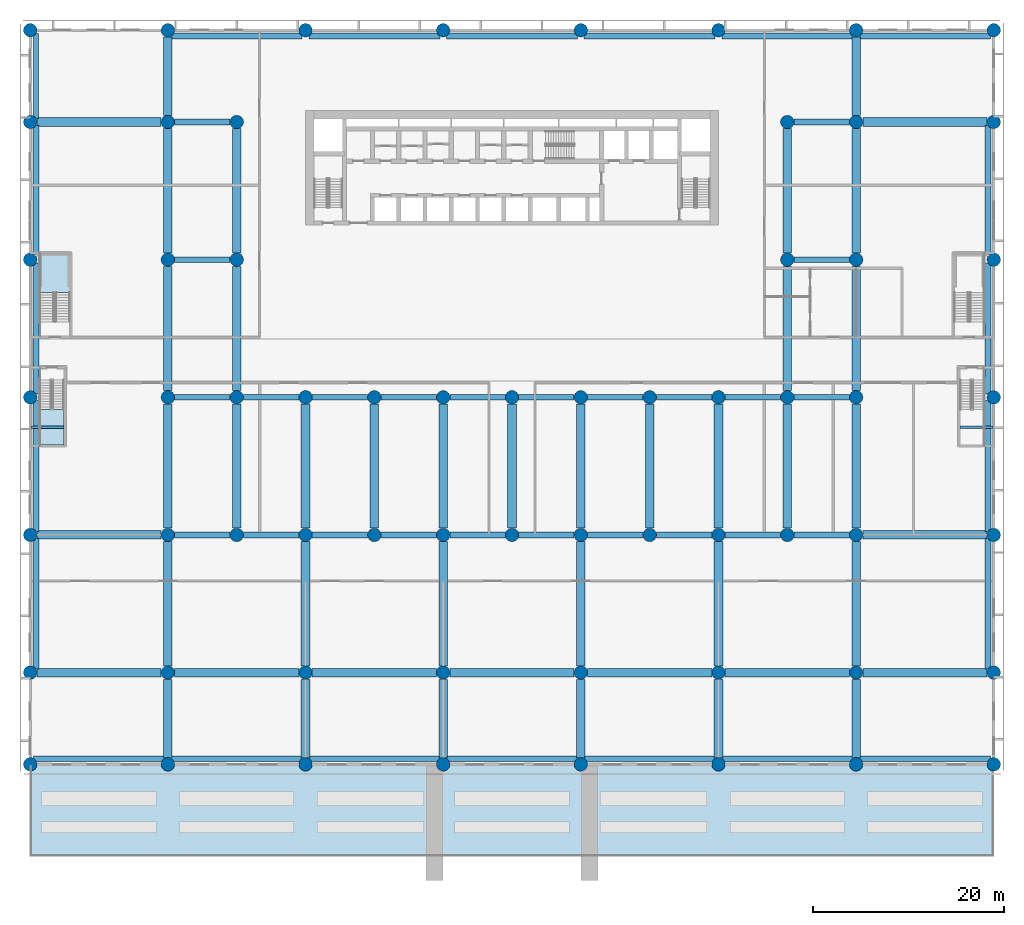
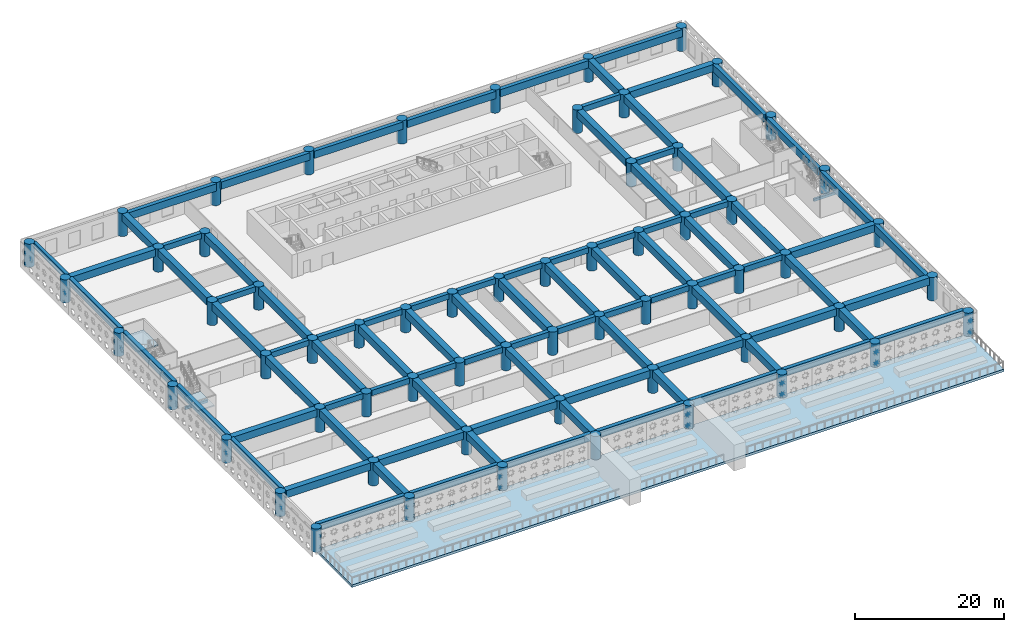
# One storey, part 1 of 24: 92 beams, 62 columns, 3 slabs, 2 elements without a shape of their own.
"""IFC4 building model written with IfcOpenShell, lengths in metres."""

from ifc_helpers import new_model, si_unit, direction, frame, origin, origin_2d, place, context, subcontext, project, spatial, polyline, rectangle, circle, outline, extrude, source, transform, mapped, material, layer, layer_set, material_profile, profile_set, type_object, element, aggregate, save


model = new_model("IFC4")

# Units and contexts
model_context = context("Model", 3, precision=1e-05, world=origin(), true_north=direction((0.0, 1.0)))
body_context = subcontext(model_context, "Body", "Model", "MODEL_VIEW")
ifc_project = project(units=[si_unit("LENGTHUNIT", "METRE"), si_unit("AREAUNIT", "SQUARE_METRE"), si_unit("VOLUMEUNIT", "CUBIC_METRE"), si_unit("PLANEANGLEUNIT", "RADIAN"), si_unit("MASSUNIT", "GRAM", prefix="KILO")], contexts=[model_context])

# Site, building, storey
site_placement = place(None, origin())
site = spatial("IfcSite", under=ifc_project, at=site_placement, CompositionType="ELEMENT")
building_placement = place(site_placement, origin())
building = spatial("IfcBuilding", under=site, at=building_placement, Name="Saffron Iwan Residences", CompositionType="ELEMENT")
storey_placement = place(building_placement, frame((0.0, 0.0, 13.199951171875)))
storey = spatial("IfcBuildingStorey", under=building, at=storey_placement, Name="L02", CompositionType="ELEMENT", Elevation=13.199951171875)

# Columns
ifc_material_1 = material(Name="Concrete C50/60", Category="concrete")
ifc_material_profile_1 = material_profile(ifc_material_1, circle(Radius=0.699951171875, at=origin_2d()), Name="RC D1400")
ifc_profile_set_1 = profile_set([ifc_material_profile_1], Name="Concrete C50/60")
column_type = type_object("IfcColumnType", Name="COL RC D1400 C50/60 3800 HIGH", PredefinedType="COLUMN", material=ifc_profile_set_1)
shared_shape_1 = source(origin(), body_context, "Body", "SweptSolid", [
    extrude(circle(Radius=0.699951171875, at=origin_2d()), origin(), (0.0, 0.0, 1.0), 3.800048828125),
])
for number, where, z_axis, x_axis, name in (
    (1, (0.0, 9.60009765625, 0.0), (0.0, 0.0, 1.0), (1.0, 0.0, 0.0), "Column C009"),
    (2, (14.39990234375, 9.60009765625, 0.0), (0.0, 0.0, 1.0), (1.0, 0.0, 0.0), "Column C010"),
    (3, (28.800048828125, 9.60009765625, 0.0), (0.0, 0.0, 1.0), (1.0, 0.0, 0.0), "Column C011"),
    (4, (43.199951171875, 9.60009765625, 0.0), (0.0, 0.0, 1.0), (1.0, 0.0, 0.0), "Column C012"),
    (5, (57.60009765625, 9.60009765625, 0.0), (0.0, 0.0, 1.0), (1.0, 0.0, 0.0), "Column C013"),
    (6, (72.0, 9.60009765625, 0.0), (0.0, 0.0, 1.0), (1.0, 0.0, 0.0), "Column C014"),
    (7, (86.39990234375, 9.60009765625, 0.0), (0.0, 0.0, 1.0), (1.0, 0.0, 0.0), "Column C015"),
    (8, (100.800048828125, 9.60009765625, 0.0), (0.0, 0.0, 1.0), (1.0, 0.0, 0.0), "Column C016"),
    (9, (0.0, 19.199951171875, 0.0), (0.0, 0.0, 1.0), (1.0, 0.0, 0.0), "Column C017"),
    (10, (14.39990234375, 19.199951171875, 0.0), (0.0, 0.0, 1.0), (1.0, 0.0, 0.0), "Column C018"),
    (11, (28.800048828125, 19.199951171875, 0.0), (0.0, 0.0, 1.0), (1.0, 0.0, 0.0), "Column C019"),
    (12, (43.199951171875, 19.199951171875, 0.0), (0.0, 0.0, 1.0), (1.0, 0.0, 0.0), "Column C020"),
    (13, (57.60009765625, 19.199951171875, 0.0), (0.0, 0.0, 1.0), (1.0, 0.0, 0.0), "Column C021"),
    (14, (72.0, 19.199951171875, 0.0), (0.0, 0.0, 1.0), (1.0, 0.0, 0.0), "Column C022"),
    (15, (86.39990234375, 19.199951171875, 0.0), (0.0, 0.0, 1.0), (1.0, 0.0, 0.0), "Column C023"),
    (16, (100.800048828125, 19.199951171875, 0.0), (0.0, 0.0, 1.0), (1.0, 0.0, 0.0), "Column C024"),
    (17, (0.0, 33.60009765625, 0.0), (0.0, 0.0, 1.0), (1.0, 0.0, 0.0), "Column C025"),
    (18, (14.39990234375, 33.60009765625, 0.0), (0.0, 0.0, 1.0), (1.0, 0.0, 0.0), "Column C026"),
    (19, (21.60009765625, 33.60009765625, 0.0), (0.0, 0.0, 1.0), (1.0, 0.0, 0.0), "Column C027"),
    (20, (28.800048828125, 33.60009765625, 0.0), (0.0, 0.0, 1.0), (1.0, 0.0, 0.0), "Column C028"),
    (21, (36.0, 33.60009765625, 0.0), (0.0, 0.0, 1.0), (1.0, 0.0, 0.0), "Column C029"),
    (22, (43.199951171875, 33.60009765625, 0.0), (0.0, 0.0, 1.0), (1.0, 0.0, 0.0), "Column C030"),
    (23, (50.39990234375, 33.60009765625, 0.0), (0.0, 0.0, 1.0), (1.0, 0.0, 0.0), "Column C031"),
    (24, (57.60009765625, 33.60009765625, 0.0), (0.0, 0.0, 1.0), (1.0, 0.0, 0.0), "Column C032"),
    (25, (64.800048828125, 33.60009765625, 0.0), (0.0, 0.0, 1.0), (1.0, 0.0, 0.0), "Column C033"),
    (26, (72.0, 33.60009765625, 0.0), (0.0, 0.0, 1.0), (1.0, 0.0, 0.0), "Column C034"),
    (27, (79.199951171875, 33.60009765625, 0.0), (0.0, 0.0, 1.0), (1.0, 0.0, 0.0), "Column C035"),
    (28, (86.39990234375, 33.60009765625, 0.0), (0.0, 0.0, 1.0), (1.0, 0.0, 0.0), "Column C036"),
    (29, (100.800048828125, 33.60009765625, 0.0), (0.0, 0.0, 1.0), (1.0, 0.0, 0.0), "Column C037"),
    (30, (0.0, 48.0, 0.0), (0.0, 0.0, 1.0), (1.0, 0.0, 0.0), "Column C059"),
    (31, (14.39990234375, 48.0, 0.0), (0.0, 0.0, 1.0), (1.0, 0.0, 0.0), "Column C060"),
    (32, (21.60009765625, 48.0, 0.0), (0.0, 0.0, 1.0), (1.0, 0.0, 0.0), "Column C063"),
    (33, (28.800048828125, 48.0, 0.0), (0.0, 0.0, 1.0), (1.0, 0.0, 0.0), "Column C064"),
    (34, (36.0, 48.0, 0.0), (0.0, 0.0, 1.0), (1.0, 0.0, 0.0), "Column C065"),
    (35, (43.199951171875, 48.0, 0.0), (0.0, 0.0, 1.0), (1.0, 0.0, 0.0), "Column C066"),
    (36, (50.39990234375, 48.0, 0.0), (0.0, 0.0, 1.0), (1.0, 0.0, 0.0), "Column C067"),
    (37, (57.60009765625, 48.0, 0.0), (0.0, 0.0, 1.0), (1.0, 0.0, 0.0), "Column C068"),
    (38, (64.800048828125, 48.0, 0.0), (0.0, 0.0, 1.0), (1.0, 0.0, 0.0), "Column C069"),
    (39, (72.0, 48.0, 0.0), (0.0, 0.0, 1.0), (1.0, 0.0, 0.0), "Column C071"),
    (40, (79.199951171875, 48.0, 0.0), (0.0, 0.0, 1.0), (1.0, 0.0, 0.0), "Column C072"),
    (41, (86.39990234375, 48.0, 0.0), (0.0, 0.0, 1.0), (1.0, 0.0, 0.0), "Column C075"),
    (42, (100.800048828125, 48.0, 0.0), (0.0, 0.0, 1.0), (1.0, 0.0, 0.0), "Column C076"),
    (43, (0.0, 62.39990234375, 0.0), (0.0, 0.0, 1.0), (1.0, 0.0, 0.0), "Column C087"),
    (44, (14.39990234375, 62.39990234375, 0.0), (0.0, 0.0, 1.0), (1.0, 0.0, 0.0), "Column C088"),
    (45, (21.60009765625, 62.39990234375, 0.0), (0.0, 0.0, 1.0), (1.0, 0.0, 0.0), "Column C091"),
    (46, (79.199951171875, 62.39990234375, 0.0), (0.0, 0.0, 1.0), (1.0, 0.0, 0.0), "Column C092"),
    (47, (86.39990234375, 62.39990234375, 0.0), (0.0, 0.0, 1.0), (1.0, 0.0, 0.0), "Column C095"),
    (48, (100.800048828125, 62.39990234375, 0.0), (0.0, 0.0, 1.0), (1.0, 0.0, 0.0), "Column C096"),
    (49, (0.0, 76.800048828125, 0.0), (0.0, 0.0, 1.0), (1.0, 0.0, 0.0), "Column C103"),
    (50, (14.39990234375, 76.800048828125, 0.0), (0.0, 0.0, 1.0), (1.0, 0.0, 0.0), "Column C104"),
    (51, (21.60009765625, 76.800048828125, 0.0), (0.0, 0.0, 1.0), (1.0, 0.0, 0.0), "Column C107"),
    (52, (79.199951171875, 76.800048828125, 0.0), (0.0, 0.0, 1.0), (1.0, 0.0, 0.0), "Column C108"),
    (53, (86.39990234375, 76.800048828125, 0.0), (0.0, 0.0, 1.0), (1.0, 0.0, 0.0), "Column C111"),
    (54, (100.800048828125, 76.800048828125, 0.0), (0.0, 0.0, 1.0), (1.0, 0.0, 0.0), "Column C112"),
    (55, (0.0, 86.39990234375, 0.0), (0.0, 0.0, 1.0), (1.0, 0.0, 0.0), "Column C124"),
    (56, (14.39990234375, 86.39990234375, 0.0), (0.0, 0.0, 1.0), (1.0, 0.0, 0.0), "Column C125"),
    (57, (28.800048828125, 86.39990234375, 0.0), (0.0, 0.0, 1.0), (1.0, 0.0, 0.0), "Column C126"),
    (58, (43.199951171875, 86.39990234375, 0.0), (0.0, 0.0, 1.0), (1.0, 0.0, 0.0), "Column C127"),
    (59, (57.60009765625, 86.39990234375, 0.0), (0.0, 0.0, 1.0), (1.0, 0.0, 0.0), "Column C128"),
    (60, (72.0, 86.39990234375, 0.0), (0.0, 0.0, 1.0), (1.0, 0.0, 0.0), "Column C129"),
    (61, (86.39990234375, 86.39990234375, 0.0), (0.0, 0.0, 1.0), (1.0, 0.0, 0.0), "Column C130"),
    (62, (100.800048828125, 86.39990234375, 0.0), (0.0, 0.0, 1.0), (1.0, 0.0, 0.0), "Column C131"),
):
    element("IfcColumn", number, at=place(storey_placement, frame(where, z_axis=z_axis, x_axis=x_axis)), inside=storey, type_object=column_type, Name=name, PredefinedType="COLUMN", context=body_context, shape_type="MappedRepresentation", body=[
        mapped(shared_shape_1, transform((0.0, 0.0, 0.0))),
    ])

# Beams
ifc_material_profile_2 = material_profile(ifc_material_1, rectangle(XDim=0.5, YDim=0.89990234375, at=origin_2d()), Name="RC 500x900")
ifc_profile_set_2 = profile_set([ifc_material_profile_2], Name="Concrete C50/60")
beam_type_1 = type_object("IfcBeamType", Name="SPANDREL BEAM RC 500x900 C50/60 TOP 3800", PredefinedType="SPANDREL", material=ifc_profile_set_2)
shared_shape_2 = source(origin(), body_context, "Body", "SweptSolid", [
    extrude(rectangle(XDim=0.5, YDim=0.89990234375, at=origin_2d()), origin(), (0.0, 0.0, 1.0), 8.889404296875),
])
beam_placement = place(storey_placement, frame((0.60009765625, 77.1552734375, 3.35009765625), z_axis=(0.0, 1.0, 0.0), x_axis=(-1.0, 0.0, 0.0)))
element("IfcBeam", 63, at=beam_placement, inside=storey, type_object=beam_type_1, Name="Spandrel beam", PredefinedType="SPANDREL", context=body_context, shape_type="MappedRepresentation", body=[
    mapped(shared_shape_2, transform((0.0, 0.0, 0.0))),
])
ifc_material_profile_3 = material_profile(ifc_material_1, rectangle(XDim=0.60009765625, YDim=1.199951171875, at=origin_2d()), Name="RC 600x1200")
ifc_profile_set_3 = profile_set([ifc_material_profile_3], Name="Concrete C50/60")
beam_type_2 = type_object("IfcBeamType", Name="LINTEL BEAM RC 600x1200 C50/60 TOP 3800", PredefinedType="LINTEL", material=ifc_profile_set_3)
shared_shape_3 = source(origin(), body_context, "Body", "SweptSolid", [
    extrude(rectangle(XDim=0.60009765625, YDim=1.199951171875, at=origin_2d()), origin(), (0.0, 0.0, 1.0), 13.689453125),
])
for number, where, z_axis, x_axis, name in (
    (64, (14.044677734375, 10.199951171875, 3.199951171875), (-1.0, 0.0, 0.0), (0.0, -1.0, 0.0), "Lintel beam over the iwan"),
    (65, (42.8447265625, 10.199951171875, 3.199951171875), (-1.0, 0.0, 0.0), (0.0, -1.0, 0.0), "Lintel beam over the iwan"),
    (66, (71.644775390625, 10.199951171875, 3.199951171875), (-1.0, 0.0, 0.0), (0.0, -1.0, 0.0), "Lintel beam over the iwan"),
    (67, (86.044677734375, 10.199951171875, 3.199951171875), (-1.0, 0.0, 0.0), (0.0, -1.0, 0.0), "Lintel beam over the iwan"),
    (68, (0.60009765625, 33.955322265625, 3.199951171875), (0.0, 1.0, 0.0), (-1.0, 0.0, 0.0), "Lintel beam over the iwan"),
    (69, (100.199951171875, 47.644775390625, 3.199951171875), (0.0, -1.0, 0.0), (1.0, 0.0, 0.0), "Lintel beam over the iwan"),
    (70, (0.60009765625, 48.355224609375, 3.199951171875), (0.0, 1.0, 0.0), (-1.0, 0.0, 0.0), "Lintel beam over the iwan"),
    (71, (100.199951171875, 62.044677734375, 3.199951171875), (0.0, -1.0, 0.0), (1.0, 0.0, 0.0), "Lintel beam over the iwan"),
    (72, (29.1552734375, 85.800048828125, 3.199951171875), (1.0, 0.0, 0.0), (0.0, 1.0, 0.0), "Lintel beam over the iwan"),
    (73, (57.955322265625, 85.800048828125, 3.199951171875), (1.0, 0.0, 0.0), (0.0, 1.0, 0.0), "Lintel beam over the iwan"),
    (74, (72.355224609375, 85.800048828125, 3.199951171875), (1.0, 0.0, 0.0), (0.0, 1.0, 0.0), "Lintel beam over the iwan"),
):
    element("IfcBeam", number, at=place(storey_placement, frame(where, z_axis=z_axis, x_axis=x_axis)), inside=storey, type_object=beam_type_2, Name=name, PredefinedType="LINTEL", context=body_context, shape_type="MappedRepresentation", body=[
        mapped(shared_shape_3, transform((0.0, 0.0, 0.0))),
    ])
shared_shape_4 = source(origin(), body_context, "Body", "SweptSolid", [
    extrude(rectangle(XDim=0.60009765625, YDim=1.199951171875, at=origin_2d()), origin(), (0.0, 0.0, 1.0), 13.689208984375),
])
for number, where, z_axis, x_axis, name in (
    (75, (28.444580078125, 10.199951171875, 3.199951171875), (-1.0, 0.0, 0.0), (0.0, -1.0, 0.0), "Lintel beam over the iwan"),
    (76, (57.24462890625, 10.199951171875, 3.199951171875), (-1.0, 0.0, 0.0), (0.0, -1.0, 0.0), "Lintel beam over the iwan"),
    (77, (100.444580078125, 10.199951171875, 3.199951171875), (-1.0, 0.0, 0.0), (0.0, -1.0, 0.0), "Lintel beam over the iwan"),
    (78, (0.60009765625, 19.555419921875, 3.199951171875), (0.0, 1.0, 0.0), (-1.0, 0.0, 0.0), "Lintel beam over the iwan"),
    (79, (100.199951171875, 33.24462890625, 3.199951171875), (0.0, -1.0, 0.0), (1.0, 0.0, 0.0), "Lintel beam over the iwan"),
    (80, (0.60009765625, 62.75537109375, 3.199951171875), (0.0, 1.0, 0.0), (-1.0, 0.0, 0.0), "Lintel beam over the iwan"),
    (81, (100.199951171875, 76.444580078125, 3.199951171875), (0.0, -1.0, 0.0), (1.0, 0.0, 0.0), "Lintel beam over the iwan"),
    (82, (14.75537109375, 85.800048828125, 3.199951171875), (1.0, 0.0, 0.0), (0.0, 1.0, 0.0), "Lintel beam over the iwan"),
    (83, (43.555419921875, 85.800048828125, 3.199951171875), (1.0, 0.0, 0.0), (0.0, 1.0, 0.0), "Lintel beam over the iwan"),
    (84, (86.75537109375, 85.800048828125, 3.199951171875), (1.0, 0.0, 0.0), (0.0, 1.0, 0.0), "Lintel beam over the iwan"),
):
    element("IfcBeam", number, at=place(storey_placement, frame(where, z_axis=z_axis, x_axis=x_axis)), inside=storey, type_object=beam_type_2, Name=name, PredefinedType="LINTEL", context=body_context, shape_type="MappedRepresentation", body=[
        mapped(shared_shape_4, transform((0.0, 0.0, 0.0))),
    ])
ifc_material_profile_4 = material_profile(ifc_material_1, rectangle(XDim=0.89990234375, YDim=1.199951171875, at=origin_2d()), Name="RC 900x1200")
ifc_profile_set_4 = profile_set([ifc_material_profile_4], Name="Concrete C50/60")
beam_type_3 = type_object("IfcBeamType", Name="BEAM RC 900x1200 C50/60 TOP 3800", PredefinedType="BEAM", material=ifc_profile_set_4)
shared_shape_5 = source(origin(), body_context, "Body", "SweptSolid", [
    extrude(rectangle(XDim=0.89990234375, YDim=1.199951171875, at=origin_2d()), origin(), (0.0, 0.0, 1.0), 8.199951171875),
])
for number, where, z_axis, x_axis, name in (
    (85, (14.39990234375, 10.300048828125, 3.199951171875), (0.0, 1.0, 0.0), (-1.0, 0.0, 0.0), "Floor beam"),
    (86, (28.800048828125, 10.300048828125, 3.199951171875), (0.0, 1.0, 0.0), (-1.0, 0.0, 0.0), "Floor beam"),
    (87, (43.199951171875, 10.300048828125, 3.199951171875), (0.0, 1.0, 0.0), (-1.0, 0.0, 0.0), "Floor beam"),
    (88, (57.60009765625, 10.300048828125, 3.199951171875), (0.0, 1.0, 0.0), (-1.0, 0.0, 0.0), "Floor beam"),
    (89, (72.0, 10.300048828125, 3.199951171875), (0.0, 1.0, 0.0), (-1.0, 0.0, 0.0), "Floor beam"),
    (90, (86.39990234375, 10.300048828125, 3.199951171875), (0.0, 1.0, 0.0), (-1.0, 0.0, 0.0), "Floor beam"),
    (91, (14.39990234375, 77.5, 3.199951171875), (0.0, 1.0, 0.0), (-1.0, 0.0, 0.0), "Floor beam"),
    (92, (86.39990234375, 77.5, 3.199951171875), (0.0, 1.0, 0.0), (-1.0, 0.0, 0.0), "Floor beam"),
):
    element("IfcBeam", number, at=place(storey_placement, frame(where, z_axis=z_axis, x_axis=x_axis)), inside=storey, type_object=beam_type_3, Name=name, PredefinedType="BEAM", context=body_context, shape_type="MappedRepresentation", body=[
        mapped(shared_shape_5, transform((0.0, 0.0, 0.0))),
    ])
shared_shape_6 = source(origin(), body_context, "Body", "SweptSolid", [
    extrude(rectangle(XDim=0.89990234375, YDim=1.199951171875, at=origin_2d()), origin(), (0.0, 0.0, 1.0), 13.0),
])
for number, where, z_axis, x_axis, name in (
    (93, (0.699951171875, 19.199951171875, 3.199951171875), (1.0, 0.0, 0.0), (0.0, 1.0, 0.0), "Floor beam"),
    (94, (15.10009765625, 19.199951171875, 3.199951171875), (1.0, 0.0, 0.0), (0.0, 1.0, 0.0), "Floor beam"),
    (95, (29.5, 19.199951171875, 3.199951171875), (1.0, 0.0, 0.0), (0.0, 1.0, 0.0), "Floor beam"),
    (96, (43.89990234375, 19.199951171875, 3.199951171875), (1.0, 0.0, 0.0), (0.0, 1.0, 0.0), "Floor beam"),
    (97, (58.300048828125, 19.199951171875, 3.199951171875), (1.0, 0.0, 0.0), (0.0, 1.0, 0.0), "Floor beam"),
    (98, (72.699951171875, 19.199951171875, 3.199951171875), (1.0, 0.0, 0.0), (0.0, 1.0, 0.0), "Floor beam"),
    (99, (87.10009765625, 19.199951171875, 3.199951171875), (1.0, 0.0, 0.0), (0.0, 1.0, 0.0), "Floor beam"),
    (100, (14.39990234375, 19.89990234375, 3.199951171875), (0.0, 1.0, 0.0), (-1.0, 0.0, 0.0), "Floor beam"),
    (101, (28.800048828125, 19.89990234375, 3.199951171875), (0.0, 1.0, 0.0), (-1.0, 0.0, 0.0), "Floor beam"),
    (102, (43.199951171875, 19.89990234375, 3.199951171875), (0.0, 1.0, 0.0), (-1.0, 0.0, 0.0), "Floor beam"),
    (103, (57.60009765625, 19.89990234375, 3.199951171875), (0.0, 1.0, 0.0), (-1.0, 0.0, 0.0), "Floor beam"),
    (104, (72.0, 19.89990234375, 3.199951171875), (0.0, 1.0, 0.0), (-1.0, 0.0, 0.0), "Floor beam"),
    (105, (86.39990234375, 19.89990234375, 3.199951171875), (0.0, 1.0, 0.0), (-1.0, 0.0, 0.0), "Floor beam"),
    (106, (0.699951171875, 33.60009765625, 3.199951171875), (1.0, 0.0, 0.0), (0.0, 1.0, 0.0), "Floor beam"),
    (107, (87.10009765625, 33.60009765625, 3.199951171875), (1.0, 0.0, 0.0), (0.0, 1.0, 0.0), "Floor beam"),
    (108, (14.39990234375, 34.300048828125, 3.199951171875), (0.0, 1.0, 0.0), (-1.0, 0.0, 0.0), "Floor beam"),
    (109, (21.60009765625, 34.300048828125, 3.199951171875), (0.0, 1.0, 0.0), (-1.0, 0.0, 0.0), "Floor beam"),
    (110, (28.800048828125, 34.300048828125, 3.199951171875), (0.0, 1.0, 0.0), (-1.0, 0.0, 0.0), "Floor beam"),
    (111, (36.0, 34.300048828125, 3.199951171875), (0.0, 1.0, 0.0), (-1.0, 0.0, 0.0), "Floor beam"),
    (112, (43.199951171875, 34.300048828125, 3.199951171875), (0.0, 1.0, 0.0), (-1.0, 0.0, 0.0), "Floor beam"),
    (113, (50.39990234375, 34.300048828125, 3.199951171875), (0.0, 1.0, 0.0), (-1.0, 0.0, 0.0), "Floor beam"),
    (114, (57.60009765625, 34.300048828125, 3.199951171875), (0.0, 1.0, 0.0), (-1.0, 0.0, 0.0), "Floor beam"),
    (115, (64.800048828125, 34.300048828125, 3.199951171875), (0.0, 1.0, 0.0), (-1.0, 0.0, 0.0), "Floor beam"),
    (116, (72.0, 34.300048828125, 3.199951171875), (0.0, 1.0, 0.0), (-1.0, 0.0, 0.0), "Floor beam"),
    (117, (79.199951171875, 34.300048828125, 3.199951171875), (0.0, 1.0, 0.0), (-1.0, 0.0, 0.0), "Floor beam"),
    (118, (86.39990234375, 34.300048828125, 3.199951171875), (0.0, 1.0, 0.0), (-1.0, 0.0, 0.0), "Floor beam"),
    (119, (14.39990234375, 48.699951171875, 3.199951171875), (0.0, 1.0, 0.0), (-1.0, 0.0, 0.0), "Floor beam"),
    (120, (21.60009765625, 48.699951171875, 3.199951171875), (0.0, 1.0, 0.0), (-1.0, 0.0, 0.0), "Floor beam"),
    (121, (79.199951171875, 48.699951171875, 3.199951171875), (0.0, 1.0, 0.0), (-1.0, 0.0, 0.0), "Floor beam"),
    (122, (86.39990234375, 48.699951171875, 3.199951171875), (0.0, 1.0, 0.0), (-1.0, 0.0, 0.0), "Floor beam"),
    (123, (14.39990234375, 63.10009765625, 3.199951171875), (0.0, 1.0, 0.0), (-1.0, 0.0, 0.0), "Floor beam"),
    (124, (21.60009765625, 63.10009765625, 3.199951171875), (0.0, 1.0, 0.0), (-1.0, 0.0, 0.0), "Floor beam"),
    (125, (79.199951171875, 63.10009765625, 3.199951171875), (0.0, 1.0, 0.0), (-1.0, 0.0, 0.0), "Floor beam"),
    (126, (86.39990234375, 63.10009765625, 3.199951171875), (0.0, 1.0, 0.0), (-1.0, 0.0, 0.0), "Floor beam"),
    (127, (0.699951171875, 76.800048828125, 3.199951171875), (1.0, 0.0, 0.0), (0.0, 1.0, 0.0), "Floor beam"),
    (128, (87.10009765625, 76.800048828125, 3.199951171875), (1.0, 0.0, 0.0), (0.0, 1.0, 0.0), "Floor beam"),
):
    element("IfcBeam", number, at=place(storey_placement, frame(where, z_axis=z_axis, x_axis=x_axis)), inside=storey, type_object=beam_type_3, Name=name, PredefinedType="BEAM", context=body_context, shape_type="MappedRepresentation", body=[
        mapped(shared_shape_6, transform((0.0, 0.0, 0.0))),
    ])
ifc_material_profile_5 = material_profile(ifc_material_1, rectangle(XDim=0.60009765625, YDim=0.89990234375, at=origin_2d()), Name="RC 600x900")
ifc_profile_set_5 = profile_set([ifc_material_profile_5], Name="Concrete C50/60")
beam_type_4 = type_object("IfcBeamType", Name="BEAM RC 600x900 C50/60 TOP 3800", PredefinedType="BEAM", material=ifc_profile_set_5)
shared_shape_7 = source(origin(), body_context, "Body", "SweptSolid", [
    extrude(rectangle(XDim=0.60009765625, YDim=0.89990234375, at=origin_2d()), origin(), (0.0, 0.0, 1.0), 5.7998046875),
])
for number, where, z_axis, x_axis, name in (
    (129, (15.10009765625, 33.60009765625, 3.35009765625), (1.0, 0.0, 0.0), (0.0, 1.0, 0.0), "Floor beam"),
    (130, (51.10009765625, 33.60009765625, 3.35009765625), (1.0, 0.0, 0.0), (0.0, 1.0, 0.0), "Floor beam"),
    (131, (15.10009765625, 48.0, 3.35009765625), (1.0, 0.0, 0.0), (0.0, 1.0, 0.0), "Floor beam"),
    (132, (51.10009765625, 48.0, 3.35009765625), (1.0, 0.0, 0.0), (0.0, 1.0, 0.0), "Floor beam"),
    (133, (15.10009765625, 62.39990234375, 3.35009765625), (1.0, 0.0, 0.0), (0.0, 1.0, 0.0), "Floor beam"),
    (134, (15.10009765625, 76.800048828125, 3.35009765625), (1.0, 0.0, 0.0), (0.0, 1.0, 0.0), "Floor beam"),
):
    element("IfcBeam", number, at=place(storey_placement, frame(where, z_axis=z_axis, x_axis=x_axis)), inside=storey, type_object=beam_type_4, Name=name, PredefinedType="BEAM", context=body_context, shape_type="MappedRepresentation", body=[
        mapped(shared_shape_7, transform((0.0, 0.0, 0.0))),
    ])
shared_shape_8 = source(origin(), body_context, "Body", "SweptSolid", [
    extrude(rectangle(XDim=0.60009765625, YDim=0.89990234375, at=origin_2d()), origin(), (0.0, 0.0, 1.0), 5.800048828125),
])
for number, where, z_axis, x_axis, name in (
    (135, (22.300048828125, 33.60009765625, 3.35009765625), (1.0, 0.0, 0.0), (0.0, 1.0, 0.0), "Floor beam"),
    (136, (29.5, 33.60009765625, 3.35009765625), (1.0, 0.0, 0.0), (0.0, 1.0, 0.0), "Floor beam"),
    (137, (36.699951171875, 33.60009765625, 3.35009765625), (1.0, 0.0, 0.0), (0.0, 1.0, 0.0), "Floor beam"),
    (138, (43.89990234375, 33.60009765625, 3.35009765625), (1.0, 0.0, 0.0), (0.0, 1.0, 0.0), "Floor beam"),
    (139, (58.300048828125, 33.60009765625, 3.35009765625), (1.0, 0.0, 0.0), (0.0, 1.0, 0.0), "Floor beam"),
    (140, (65.5, 33.60009765625, 3.35009765625), (1.0, 0.0, 0.0), (0.0, 1.0, 0.0), "Floor beam"),
    (141, (72.699951171875, 33.60009765625, 3.35009765625), (1.0, 0.0, 0.0), (0.0, 1.0, 0.0), "Floor beam"),
    (142, (79.89990234375, 33.60009765625, 3.35009765625), (1.0, 0.0, 0.0), (0.0, 1.0, 0.0), "Floor beam"),
    (143, (22.300048828125, 48.0, 3.35009765625), (1.0, 0.0, 0.0), (0.0, 1.0, 0.0), "Floor beam"),
    (144, (29.5, 48.0, 3.35009765625), (1.0, 0.0, 0.0), (0.0, 1.0, 0.0), "Floor beam"),
    (145, (36.699951171875, 48.0, 3.35009765625), (1.0, 0.0, 0.0), (0.0, 1.0, 0.0), "Floor beam"),
    (146, (43.89990234375, 48.0, 3.35009765625), (1.0, 0.0, 0.0), (0.0, 1.0, 0.0), "Floor beam"),
    (147, (58.300048828125, 48.0, 3.35009765625), (1.0, 0.0, 0.0), (0.0, 1.0, 0.0), "Floor beam"),
    (148, (65.5, 48.0, 3.35009765625), (1.0, 0.0, 0.0), (0.0, 1.0, 0.0), "Floor beam"),
    (149, (72.699951171875, 48.0, 3.35009765625), (1.0, 0.0, 0.0), (0.0, 1.0, 0.0), "Floor beam"),
    (150, (79.89990234375, 48.0, 3.35009765625), (1.0, 0.0, 0.0), (0.0, 1.0, 0.0), "Floor beam"),
    (151, (79.89990234375, 62.39990234375, 3.35009765625), (1.0, 0.0, 0.0), (0.0, 1.0, 0.0), "Floor beam"),
    (152, (79.89990234375, 76.800048828125, 3.35009765625), (1.0, 0.0, 0.0), (0.0, 1.0, 0.0), "Floor beam"),
):
    element("IfcBeam", number, at=place(storey_placement, frame(where, z_axis=z_axis, x_axis=x_axis)), inside=storey, type_object=beam_type_4, Name=name, PredefinedType="BEAM", context=body_context, shape_type="MappedRepresentation", body=[
        mapped(shared_shape_8, transform((0.0, 0.0, 0.0))),
    ])
ifc_material_2 = material(Name="Concrete C40/50", Category="concrete")
ifc_material_profile_6 = material_profile(ifc_material_2, rectangle(XDim=0.300048828125, YDim=0.39990234375, at=origin_2d()), Name="Landing beam RC 300x400 C40/50")
ifc_profile_set_6 = profile_set([ifc_material_profile_6], Name="Concrete C40/50")
beam_type_5 = type_object("IfcBeamType", Name="Landing beam RC 300x400 C40/50", PredefinedType="BEAM", material=ifc_profile_set_6)
shared_shape_9 = source(origin(), body_context, "Body", "SweptSolid", [
    extrude(rectangle(XDim=0.300048828125, YDim=0.39990234375, at=origin_2d()), origin(), (0.0, 0.0, 1.0), 3.449951171875),
])
for number, where, z_axis, x_axis, name in (
    (153, (0.10009765625, 44.860107421875, 1.699951171875), (1.0, 0.0, 0.0), (0.0, 1.0, 0.0), "PS1 landing beam"),
    (154, (97.25, 44.860107421875, 1.699951171875), (1.0, 0.0, 0.0), (0.0, 1.0, 0.0), "PS2 landing beam"),
):
    element("IfcBeam", number, at=place(storey_placement, frame(where, z_axis=z_axis, x_axis=x_axis)), inside=storey, type_object=beam_type_5, Name=name, PredefinedType="BEAM", context=body_context, shape_type="MappedRepresentation", body=[
        mapped(shared_shape_9, transform((0.0, 0.0, 0.0))),
    ])

# Slab
ifc_layer_1 = layer(ifc_material_2, 0.39990234375)
ifc_layer_set_1 = layer_set([ifc_layer_1], Name="Concrete C40/50")
slab_type_1 = type_object("IfcSlabType", Name="PT TERRACE PLATE 400 C40/50", PredefinedType="FLOOR", material=ifc_layer_set_1)
slab_1_placement = place(storey_placement, frame((0.0, 0.0, -0.400146484375)))
element("IfcSlab", 155, at=slab_1_placement, inside=storey, type_object=slab_type_1, Name="Terrace slab L02", PredefinedType="FLOOR", context=body_context, shape_type="SweptSolid", body=[
    extrude(outline(polyline([(0.0, 9.60009765625), (100.800048828125, 9.60009765625), (100.800048828125, 0.0), (0.0, 0.0), (0.0, 9.60009765625)])), origin(), (0.0, 0.0, 1.0), 0.400146484375),
])

# Stair, slab
stair_type = type_object("IfcStairType", Name="Podium stair, reinforced concrete", PredefinedType="HALF_TURN_STAIR", material=ifc_material_2)
stair_1_placement = place(storey_placement, origin())
stair_1 = element("IfcStair", 156, at=stair_1_placement, inside=storey, type_object=stair_type, Name="L02 Podium Stair 1", PredefinedType="HALF_TURN_STAIR")
ifc_layer_2 = layer(ifc_material_2, 0.199951171875)
ifc_layer_set_2 = layer_set([ifc_layer_2], Name="Concrete C40/50")
slab_type_2 = type_object("IfcSlabType", Name="Podium stair landing, reinforced concrete", PredefinedType="LANDING", material=ifc_layer_set_2)
slab_2_placement = place(storey_placement, frame((0.0, 0.0, 1.89990234375)))
slab_2 = element("IfcSlab", 157, at=slab_2_placement, type_object=slab_type_2, Name="PS1 landing 1", PredefinedType="LANDING", context=body_context, shape_type="SweptSolid", body=[
    extrude(outline(polyline([(1.0, 46.719970703125), (1.0, 43.0), (3.550048828125, 43.0), (3.550048828125, 46.719970703125), (1.0, 46.719970703125)])), origin(), (0.0, 0.0, 1.0), 0.2001953125),
])
aggregate(stair_1, [slab_2])

stair_2_placement = place(storey_placement, origin())
stair_2 = element("IfcStair", 158, at=stair_2_placement, inside=storey, type_object=stair_type, Name="L02 Podium Stair 3", PredefinedType="HALF_TURN_STAIR")
slab_3_placement = place(storey_placement, frame((0.0, 0.0, 1.89990234375)))
slab_3 = element("IfcSlab", 159, at=slab_3_placement, type_object=slab_type_2, Name="PS3 landing 1", PredefinedType="LANDING", context=body_context, shape_type="SweptSolid", body=[
    extrude(outline(polyline([(4.14990234375, 58.97998046875), (4.14990234375, 63.0), (1.0, 63.0), (1.0, 58.97998046875), (4.14990234375, 58.97998046875)])), origin(), (0.0, 0.0, 1.0), 0.2001953125),
])
aggregate(stair_2, [slab_3])

save(model, "model.ifc")
